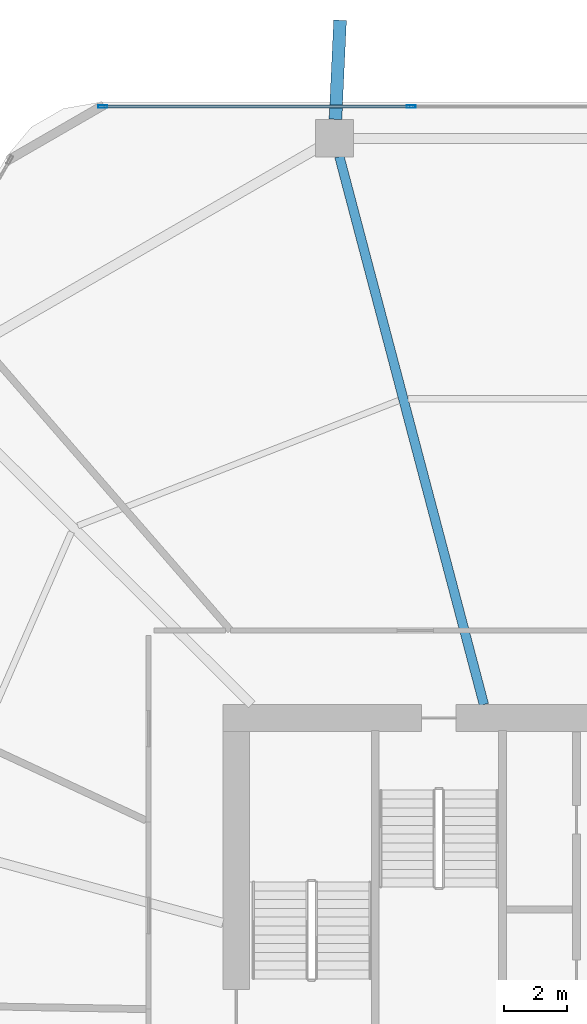
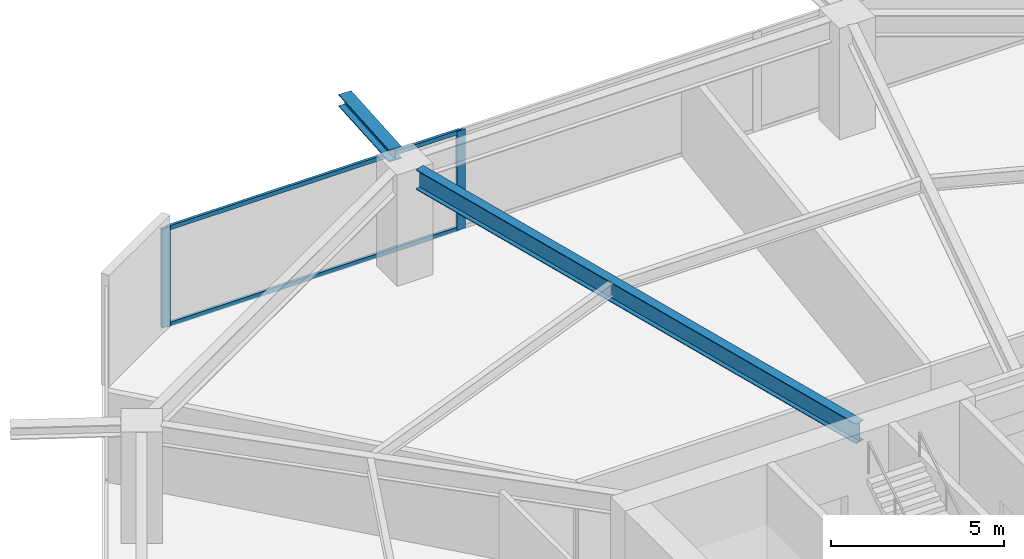
# One storey, part 15 of 27: 4 members, 2 beams, 1 element without a shape of its own.
"""IFC4 building model written with IfcOpenShell, lengths in metres."""

from ifc_helpers import new_model, si_unit, direction, frame, origin, origin_2d, place, context, subcontext, project, spatial, hollow_rectangle, i_section, extrude, material, material_profile, profile_set, type_object, element, aggregate, save


model = new_model("IFC4")

# Units and contexts
model_context = context("Model", 3, precision=1e-05, world=origin(), true_north=direction((0.0, 1.0)))
body_context = subcontext(model_context, "Body", "Model", "MODEL_VIEW")
ifc_project = project(units=[si_unit("LENGTHUNIT", "METRE"), si_unit("AREAUNIT", "SQUARE_METRE"), si_unit("VOLUMEUNIT", "CUBIC_METRE"), si_unit("PLANEANGLEUNIT", "RADIAN"), si_unit("MASSUNIT", "GRAM", prefix="KILO")], contexts=[model_context])

# Site, building, storey
site_placement = place(None, origin())
site = spatial("IfcSite", under=ifc_project, at=site_placement, CompositionType="ELEMENT")
building_placement = place(site_placement, origin())
building = spatial("IfcBuilding", under=site, at=building_placement, Name="Zuhravey Tower", CompositionType="ELEMENT")
storey_placement = place(building_placement, frame((0.0, 0.0, 12.0)))
storey = spatial("IfcBuildingStorey", under=building, at=storey_placement, Name="L03", CompositionType="ELEMENT", Elevation=12.0)

# Curtain wall, members
ifc_material_1 = material(Name="Thermally broken anodised aluminium", Category="aluminium")
curtain_wall_type = type_object("IfcCurtainWallType", Name="School Low-E Unitised Curtain Wall CW1", PredefinedType="NOTDEFINED", material=ifc_material_1)
curtain_wall_placement = place(storey_placement, origin())
curtain_wall = element("IfcCurtainWall", 1, at=curtain_wall_placement, inside=storey, type_object=curtain_wall_type, Name="L03 CW1 CW-L03-F2-1", PredefinedType="NOTDEFINED")
ifc_material_2 = material(Name="Anodised aluminium", Category="aluminium")
ifc_material_profile_1 = material_profile(ifc_material_2, hollow_rectangle(XDim=0.090087890625, YDim=0.284912109375, WallThickness=0.0048828125, at=origin_2d()), Name="ALU-RHS-90x285x5")
ifc_profile_set_1 = profile_set([ifc_material_profile_1], Name="Anodised aluminium")
member_type_1 = type_object("IfcMemberType", Name="Curtain-Wall Mullion 90x180", PredefinedType="MULLION", material=ifc_profile_set_1)
member_1_placement = place(storey_placement, frame((21.24560546875, 60.95849609375, 0.0), z_axis=(0.0, 0.0, 1.0), x_axis=(0.0, 1.0, 0.0)))
member_1 = element("IfcMember", 2, at=member_1_placement, type_object=member_type_1, Name="CW1 mullion 1", PredefinedType="MULLION", context=body_context, shape_type="SweptSolid", body=[
    extrude(hollow_rectangle(XDim=0.090087890625, YDim=0.284912109375, WallThickness=0.0048828125, at=origin_2d()), origin(), (0.0, 0.0, 1.0), 3.491943359375),
])
member_2_placement = place(storey_placement, frame((31.06689453125, 60.95849609375, 0.0), z_axis=(0.0, 0.0, 1.0), x_axis=(0.0, 1.0, 0.0)))
member_2 = element("IfcMember", 3, at=member_2_placement, type_object=member_type_1, Name="CW1 mullion 2", PredefinedType="MULLION", context=body_context, shape_type="SweptSolid", body=[
    extrude(hollow_rectangle(XDim=0.090087890625, YDim=0.284912109375, WallThickness=0.0048828125, at=origin_2d()), origin(), (0.0, 0.0, 1.0), 3.491943359375),
])
ifc_material_profile_2 = material_profile(ifc_material_2, hollow_rectangle(XDim=0.090087890625, YDim=0.14990234375, WallThickness=0.0048828125, at=origin_2d()), Name="ALU-RHS-90x150x5")
ifc_profile_set_2 = profile_set([ifc_material_profile_2], Name="Anodised aluminium")
member_type_2 = type_object("IfcMemberType", Name="Curtain-Wall Transom 90x150", PredefinedType="USERDEFINED", material=ifc_profile_set_2)
member_3_placement = place(storey_placement, frame((21.29052734375, 60.95849609375, 0.044921875), z_axis=(1.0, 0.0, 0.0), x_axis=(0.0, 1.0, 0.0)))
member_3 = element("IfcMember", 4, at=member_3_placement, type_object=member_type_2, Name="CW1 transom 1.1", ObjectType="TRANSOM", PredefinedType="USERDEFINED", context=body_context, shape_type="SweptSolid", body=[
    extrude(hollow_rectangle(XDim=0.090087890625, YDim=0.14990234375, WallThickness=0.0048828125, at=origin_2d()), origin(), (0.0, 0.0, 1.0), 9.731201171875),
])
member_4_placement = place(storey_placement, frame((21.29052734375, 60.95849609375, 3.447021484375), z_axis=(1.0, 0.0, 0.0), x_axis=(0.0, 1.0, 0.0)))
member_4 = element("IfcMember", 5, at=member_4_placement, type_object=member_type_2, Name="CW1 transom 1.2", ObjectType="TRANSOM", PredefinedType="USERDEFINED", context=body_context, shape_type="SweptSolid", body=[
    extrude(hollow_rectangle(XDim=0.090087890625, YDim=0.14990234375, WallThickness=0.0048828125, at=origin_2d()), origin(), (0.0, 0.0, 1.0), 9.731201171875),
])
aggregate(curtain_wall, [member_1, member_2, member_3, member_4])

# Beams
ifc_material_3 = material(Name="Steel SM460", Category="steel")
ifc_material_profile_3 = material_profile(ifc_material_3, i_section(OverallWidth=0.406982421875, OverallDepth=0.427978515625, WebThickness=0.02001953125, FlangeThickness=0.034912109375, at=origin_2d()), Name="H-428x407x20x35")
ifc_profile_set_3 = profile_set([ifc_material_profile_3], Name="Steel SM460")
beam_type_1 = type_object("IfcBeamType", Name="Exoskeleton Node Tie Beam H428x407", PredefinedType="BEAM", material=ifc_profile_set_3)
beam_1_placement = place(storey_placement, frame((28.658203125, 60.552490234375, 3.7060546875), z_axis=(0.046667932631, 0.998910458482, 0.0), x_axis=(-0.998910458482, 0.046667932631, 0.0)))
element("IfcBeam", 6, at=beam_1_placement, inside=storey, type_object=beam_type_1, Name="L03 Exoskeleton Node Tie NT1-04", PredefinedType="BEAM", context=body_context, shape_type="SweptSolid", body=[
    extrude(i_section(OverallWidth=0.406982421875, OverallDepth=0.427978515625, WebThickness=0.02001953125, FlangeThickness=0.034912109375, at=origin_2d()), origin(), (0.0, 0.0, 1.0), 3.154541015625),
])
ifc_material_4 = material(Name="Steel SM355", Category="steel")
ifc_material_profile_4 = material_profile(ifc_material_4, i_section(OverallWidth=0.300048828125, OverallDepth=0.699951171875, WebThickness=0.012939453125, FlangeThickness=0.02392578125, at=origin_2d()), Name="H-700x300x13x24")
ifc_profile_set_4 = profile_set([ifc_material_profile_4], Name="Steel SM355")
beam_type_2 = type_object("IfcBeamType", Name="Radial Primary Girder H700x300", PredefinedType="BEAM", material=ifc_profile_set_4)
beam_2_placement = place(storey_placement, frame((33.382080078125, 41.927978515625, 3.570068359375), z_axis=(-0.254989720435, 0.966943763862, 0.0), x_axis=(-0.966943763862, -0.254989720435, 0.0)))
element("IfcBeam", 7, at=beam_2_placement, inside=storey, type_object=beam_type_2, Name="L03 RG1 BM-L03-RAD-04", PredefinedType="BEAM", context=body_context, shape_type="SweptSolid", body=[
    extrude(i_section(OverallWidth=0.300048828125, OverallDepth=0.699951171875, WebThickness=0.012939453125, FlangeThickness=0.02392578125, at=origin_2d()), origin(), (0.0, 0.0, 1.0), 18.03369140625),
])

save(model, "model.ifc")
